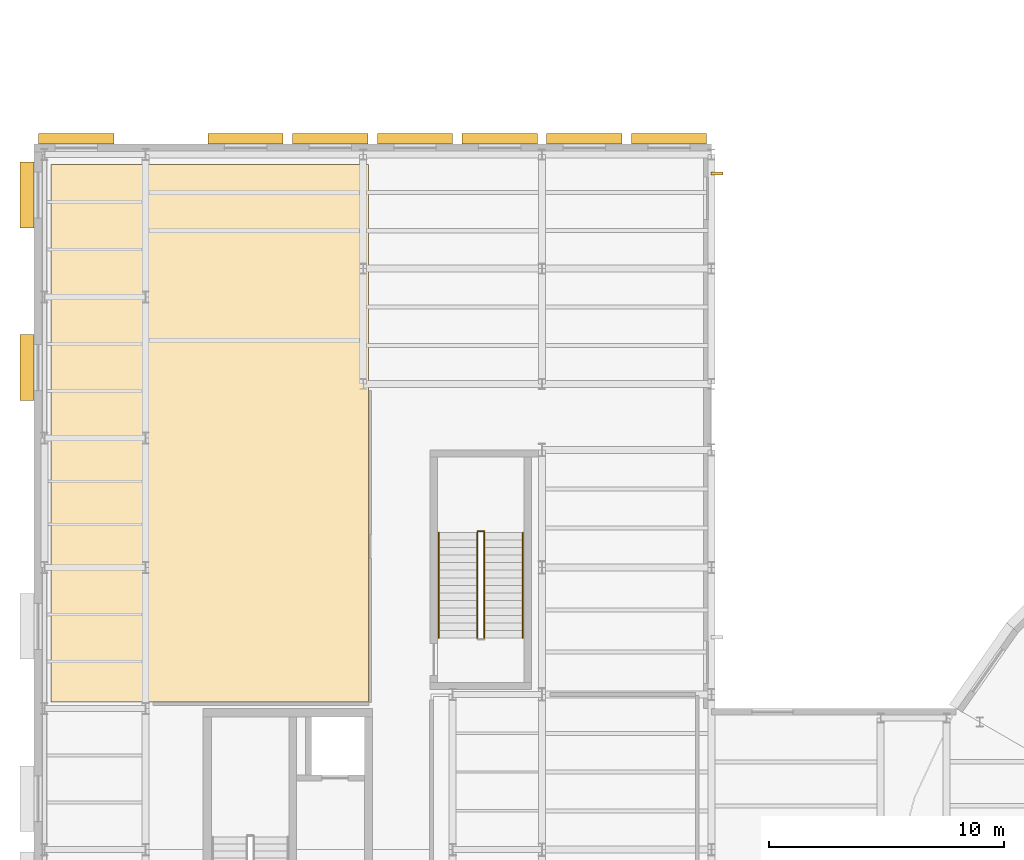
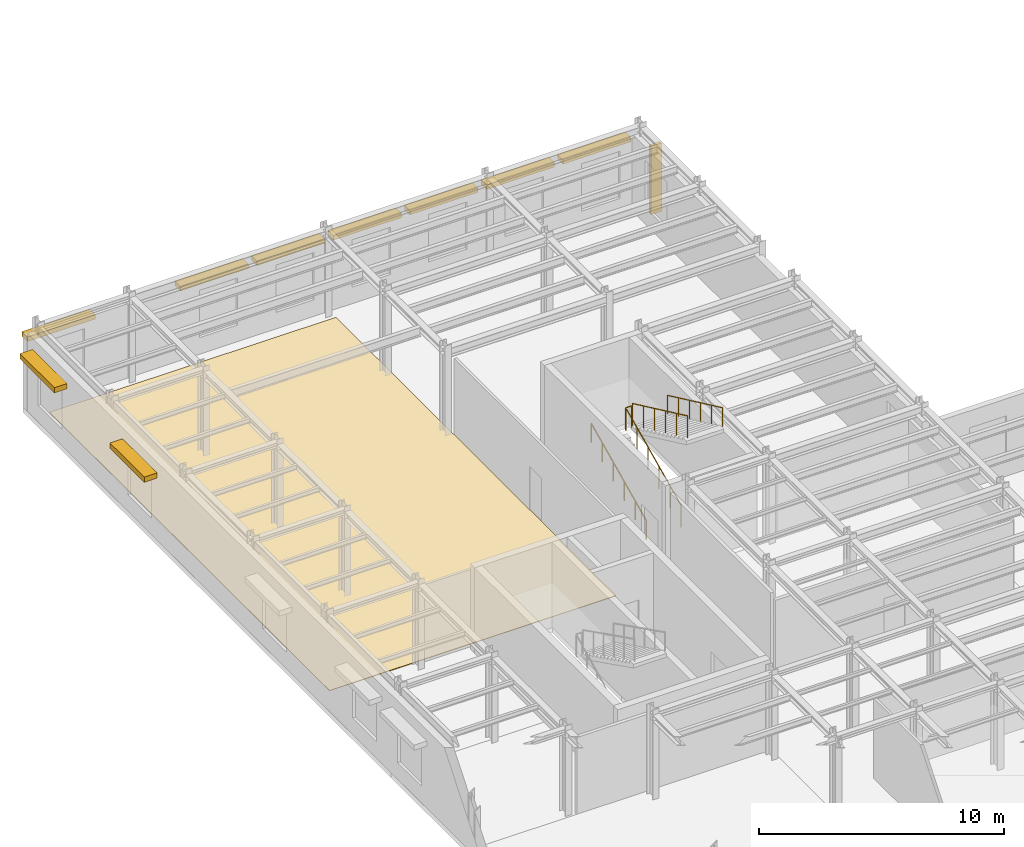
# One storey, part 85 of 91: 10 shading devices, 5 railings, 1 covering, 1 element without a shape of its own.
"""IFC4 building model written with IfcOpenShell, lengths in metres."""

from ifc_helpers import new_model, si_unit, direction, frame, origin, origin_2d, place, context, subcontext, project, spatial, polyline, rectangle, circle, outline, extrude, material, layer, layer_set, type_object, element, aggregate, save


model = new_model("IFC4")

# Units and contexts
model_context = context("Model", 3, precision=1e-05, world=origin(), true_north=direction((0.0, 1.0)))
body_context = subcontext(model_context, "Body", "Model", "MODEL_VIEW")
ifc_project = project(units=[si_unit("LENGTHUNIT", "METRE"), si_unit("AREAUNIT", "SQUARE_METRE"), si_unit("VOLUMEUNIT", "CUBIC_METRE"), si_unit("PLANEANGLEUNIT", "RADIAN"), si_unit("MASSUNIT", "GRAM", prefix="KILO")], contexts=[model_context])

# Site, building, storey
site_placement = place(None, origin())
site = spatial("IfcSite", under=ifc_project, at=site_placement, CompositionType="ELEMENT")
building_placement = place(site_placement, origin())
building = spatial("IfcBuilding", under=site, at=building_placement, Name="Kolvaren Corner Interchange", CompositionType="ELEMENT")
storey_placement = place(building_placement, frame((0.0, 0.0, 6.0)))
storey = spatial("IfcBuildingStorey", under=building, at=storey_placement, Name="L02", CompositionType="ELEMENT", Elevation=6.0)

# Covering
ifc_material_1 = material(Name="Polished Niger Delta Granite Terrazzo Flooring", Category="masonry")
ifc_layer = layer(ifc_material_1, 0.030029296875)
ifc_layer_set = layer_set([ifc_layer], Name="Polished Niger Delta Granite Terrazzo Flooring")
covering_type = type_object("IfcCoveringType", Name="COV-FLR-TER30", PredefinedType="FLOORING", material=ifc_layer_set)
covering_placement = place(storey_placement, origin())
element("IfcCovering", 1, at=covering_placement, inside=storey, type_object=covering_type, Name="L02 Driver Lockers and Changing Floor Finish", PredefinedType="FLOORING", context=body_context, shape_type="SweptSolid", body=[
    extrude(outline(polyline([(0.72998046875, 60.280029296875), (14.219970703125, 60.280029296875), (14.219970703125, 83.1201171875), (0.72998046875, 83.1201171875), (0.72998046875, 60.280029296875)])), origin(), (0.0, 0.0, 1.0), 0.030029296875),
])

# Stair, railings
ifc_material_2 = material(Name="Concrete C35/45", Category="concrete")
stair_type = type_object("IfcStairType", Name="ST-OP-1750", PredefinedType="HALF_TURN_STAIR", material=ifc_material_2)
stair_placement = place(storey_placement, origin())
stair = element("IfcStair", 2, at=stair_placement, inside=storey, type_object=stair_type, Name="Operations North Wing Protected Exit Stair L02 to L03 Stair", PredefinedType="HALF_TURN_STAIR")
ifc_material_3 = material(Name="Powder-Coated Steel Stairwell Guardrail", Category="steel")
railing_type_1 = type_object("IfcRailingType", Name="RLT-STAIR-GRD1120", PredefinedType="GUARDRAIL", material=ifc_material_3)
railing_1_placement = place(storey_placement, frame((18.85009765625, 63.0, 0.14990234375)))
railing_1 = element("IfcRailing", 3, at=railing_1_placement, type_object=railing_type_1, Name="Operations North Wing Protected Exit Stair L02 Lower Flight Well Guardrail", PredefinedType="GUARDRAIL", context=body_context, shape_type="SweptSolid", body=[
    extrude(circle(Radius=0.02392578125, at=origin_2d()), frame((0.0, 0.0, 1.09619140625), z_axis=(0.0, 0.905450639465, 0.424451574969), x_axis=(-1.0, 0.0, 0.0)), (0.0, 0.0, 1.0), 4.94775390625),
    extrude(circle(Radius=0.02001953125, at=origin_2d()), origin(), (0.0, 0.0, 1.0), 1.072021484375),
    extrude(circle(Radius=0.02001953125, at=origin_2d()), frame((0.0, 0.89599609375, 0.419921875)), (0.0, 0.0, 1.0), 1.072021484375),
    extrude(circle(Radius=0.02001953125, at=origin_2d()), frame((0.0, 1.7919921875, 0.840087890625)), (0.0, 0.0, 1.0), 1.072021484375),
    extrude(circle(Radius=0.02001953125, at=origin_2d()), frame((0.0, 2.68798828125, 1.260009765625)), (0.0, 0.0, 1.0), 1.072021484375),
    extrude(circle(Radius=0.02001953125, at=origin_2d()), frame((0.0, 3.583984375, 1.68017578125)), (0.0, 0.0, 1.0), 1.072021484375),
    extrude(circle(Radius=0.02001953125, at=origin_2d()), frame((0.0, 4.47998046875, 2.10009765625)), (0.0, 0.0, 1.0), 1.072021484375),
])
railing_2_placement = place(storey_placement, frame((18.860107421875, 67.5400390625, 2.25)))
railing_2 = element("IfcRailing", 4, at=railing_2_placement, type_object=railing_type_1, Name="Operations North Wing Protected Exit Stair L02 Half Landing Well Guardrail", PredefinedType="GUARDRAIL", context=body_context, shape_type="SweptSolid", body=[
    extrude(circle(Radius=0.02392578125, at=origin_2d()), frame((0.0, 0.0, 1.09619140625), z_axis=(1.0, 0.0, 0.0), x_axis=(0.0, 1.0, 0.0)), (0.0, 0.0, 1.0), 0.27978515625),
    extrude(circle(Radius=0.02001953125, at=origin_2d()), origin(), (0.0, 0.0, 1.0), 1.072021484375),
    extrude(circle(Radius=0.02001953125, at=origin_2d()), frame((0.27978515625, 0.0, 0.0)), (0.0, 0.0, 1.0), 1.072021484375),
])
railing_3_placement = place(storey_placement, frame((19.14990234375, 67.47998046875, 2.39990234375)))
railing_3 = element("IfcRailing", 5, at=railing_3_placement, type_object=railing_type_1, Name="Operations North Wing Protected Exit Stair L02 Upper Flight Well Guardrail", PredefinedType="GUARDRAIL", context=body_context, shape_type="SweptSolid", body=[
    extrude(circle(Radius=0.02392578125, at=origin_2d()), frame((0.0, 0.0, 1.09619140625), z_axis=(0.0, -0.905450639465, 0.424451574969), x_axis=(1.0, 0.0, 0.0)), (0.0, 0.0, 1.0), 4.94775390625),
    extrude(circle(Radius=0.02001953125, at=origin_2d()), origin(), (0.0, 0.0, 1.0), 1.072021484375),
    extrude(circle(Radius=0.02001953125, at=origin_2d()), frame((0.0, -0.89599609375, 0.419921875)), (0.0, 0.0, 1.0), 1.072021484375),
    extrude(circle(Radius=0.02001953125, at=origin_2d()), frame((0.0, -1.7919921875, 0.840087890625)), (0.0, 0.0, 1.0), 1.072021484375),
    extrude(circle(Radius=0.02001953125, at=origin_2d()), frame((0.0, -2.68798828125, 1.260009765625)), (0.0, 0.0, 1.0), 1.072021484375),
    extrude(circle(Radius=0.02001953125, at=origin_2d()), frame((0.0, -3.583984375, 1.68017578125)), (0.0, 0.0, 1.0), 1.072021484375),
    extrude(circle(Radius=0.02001953125, at=origin_2d()), frame((0.0, -4.47998046875, 2.10009765625)), (0.0, 0.0, 1.0), 1.072021484375),
])
ifc_material_4 = material(Name="Brushed Stainless Steel Stair Handrail", Category="steel")
railing_type_2 = type_object("IfcRailingType", Name="RLT-STAIR-HR950", PredefinedType="HANDRAIL", material=ifc_material_4)
railing_4_placement = place(storey_placement, frame((17.2099609375, 63.0, 0.14990234375)))
railing_4 = element("IfcRailing", 6, at=railing_4_placement, type_object=railing_type_2, Name="Operations North Wing Protected Exit Stair L02 Lower Flight Wall Handrail", PredefinedType="HANDRAIL", context=body_context, shape_type="SweptSolid", body=[
    extrude(circle(Radius=0.02197265625, at=origin_2d()), frame((0.0, 0.0, 0.927978515625), z_axis=(0.0, 0.905450639465, 0.424451574969), x_axis=(-1.0, 0.0, 0.0)), (0.0, 0.0, 1.0), 4.94775390625),
    extrude(circle(Radius=0.01806640625, at=origin_2d()), origin(), (0.0, 0.0, 1.0), 0.906005859375),
    extrude(circle(Radius=0.01806640625, at=origin_2d()), frame((0.0, 0.89599609375, 0.419921875)), (0.0, 0.0, 1.0), 0.906005859375),
    extrude(circle(Radius=0.01806640625, at=origin_2d()), frame((0.0, 1.7919921875, 0.840087890625)), (0.0, 0.0, 1.0), 0.906005859375),
    extrude(circle(Radius=0.01806640625, at=origin_2d()), frame((0.0, 2.68798828125, 1.260009765625)), (0.0, 0.0, 1.0), 0.906005859375),
    extrude(circle(Radius=0.01806640625, at=origin_2d()), frame((0.0, 3.583984375, 1.68017578125)), (0.0, 0.0, 1.0), 0.906005859375),
    extrude(circle(Radius=0.01806640625, at=origin_2d()), frame((0.0, 4.47998046875, 2.10009765625)), (0.0, 0.0, 1.0), 0.906005859375),
])
railing_5_placement = place(storey_placement, frame((20.7900390625, 67.47998046875, 2.39990234375)))
railing_5 = element("IfcRailing", 7, at=railing_5_placement, type_object=railing_type_2, Name="Operations North Wing Protected Exit Stair L02 Upper Flight Wall Handrail", PredefinedType="HANDRAIL", context=body_context, shape_type="SweptSolid", body=[
    extrude(circle(Radius=0.02197265625, at=origin_2d()), frame((0.0, 0.0, 0.927978515625), z_axis=(0.0, -0.905450639465, 0.424451574969), x_axis=(1.0, 0.0, 0.0)), (0.0, 0.0, 1.0), 4.94775390625),
    extrude(circle(Radius=0.01806640625, at=origin_2d()), origin(), (0.0, 0.0, 1.0), 0.906005859375),
    extrude(circle(Radius=0.01806640625, at=origin_2d()), frame((0.0, -0.89599609375, 0.419921875)), (0.0, 0.0, 1.0), 0.906005859375),
    extrude(circle(Radius=0.01806640625, at=origin_2d()), frame((0.0, -1.7919921875, 0.840087890625)), (0.0, 0.0, 1.0), 0.906005859375),
    extrude(circle(Radius=0.01806640625, at=origin_2d()), frame((0.0, -2.68798828125, 1.260009765625)), (0.0, 0.0, 1.0), 0.906005859375),
    extrude(circle(Radius=0.01806640625, at=origin_2d()), frame((0.0, -3.583984375, 1.68017578125)), (0.0, 0.0, 1.0), 0.906005859375),
    extrude(circle(Radius=0.01806640625, at=origin_2d()), frame((0.0, -4.47998046875, 2.10009765625)), (0.0, 0.0, 1.0), 0.906005859375),
])
aggregate(stair, [railing_1, railing_2, railing_3, railing_4, railing_5])

# Shading devices
ifc_material_5 = material(Name="Glazed Ochre Ceramic Baguette Solar Louvre")
shading_device_type_1 = type_object("IfcShadingDeviceType", Name="SHD-BAG-H450", PredefinedType="JALOUSIE", material=ifc_material_5)
for number, where, z_axis, x_axis, name in (
    (8, (27.0, 84.215087890625, 3.2001953125), (0.0, 0.0, 1.0), (-1.0, 0.0, 0.0), "L02 Ceramic Solar Shading 0039"),
    (9, (23.39990234375, 84.215087890625, 3.2001953125), (0.0, 0.0, 1.0), (-1.0, 0.0, 0.0), "L02 Ceramic Solar Shading 0040"),
    (10, (19.800048828125, 84.215087890625, 3.2001953125), (0.0, 0.0, 1.0), (-1.0, 0.0, 0.0), "L02 Ceramic Solar Shading 0041"),
    (11, (16.199951171875, 84.215087890625, 3.2001953125), (0.0, 0.0, 1.0), (-1.0, 0.0, 0.0), "L02 Ceramic Solar Shading 0042"),
    (12, (12.60009765625, 84.215087890625, 3.2001953125), (0.0, 0.0, 1.0), (-1.0, 0.0, 0.0), "L02 Ceramic Solar Shading 0043"),
    (13, (9.0, 84.215087890625, 3.2001953125), (0.0, 0.0, 1.0), (-1.0, 0.0, 0.0), "L02 Ceramic Solar Shading 0044"),
    (14, (1.800048828125, 84.215087890625, 3.2001953125), (0.0, 0.0, 1.0), (-1.0, 0.0, 0.0), "L02 Ceramic Solar Shading 0045"),
):
    element("IfcShadingDevice", number, at=place(storey_placement, frame(where, z_axis=z_axis, x_axis=x_axis)), inside=storey, type_object=shading_device_type_1, Name=name, PredefinedType="JALOUSIE", context=body_context, shape_type="SweptSolid", body=[
        extrude(rectangle(XDim=3.199951171875, YDim=0.449951171875, at=origin_2d()), origin(), (0.0, 0.0, 1.0), 0.219970703125),
    ])
ifc_material_6 = material(Name="Cream Ceramic Baguette Brise-Soleil")
shading_device_type_2 = type_object("IfcShadingDeviceType", Name="SHD-BAG-H600", PredefinedType="JALOUSIE", material=ifc_material_6)
for number, where, z_axis, x_axis, name in (
    (15, (-0.2900390625, 81.826904296875, 3.080078125), (0.0, 0.0, 1.0), (0.0, -1.0, 0.0), "L02 Ceramic Solar Shading 0046"),
    (16, (-0.2900390625, 74.49462890625, 3.080078125), (0.0, 0.0, 1.0), (0.0, -1.0, 0.0), "L02 Ceramic Solar Shading 0047"),
):
    element("IfcShadingDevice", number, at=place(storey_placement, frame(where, z_axis=z_axis, x_axis=x_axis)), inside=storey, type_object=shading_device_type_2, Name=name, PredefinedType="JALOUSIE", context=body_context, shape_type="SweptSolid", body=[
        extrude(rectangle(XDim=2.800048828125, YDim=0.60009765625, at=origin_2d()), origin(), (0.0, 0.0, 1.0), 0.260009765625),
    ])
ifc_material_7 = material(Name="Vertical Terracotta Solar Fin", Category="masonry")
shading_device_type_3 = type_object("IfcShadingDeviceType", Name="SHD-FIN-V500", PredefinedType="USERDEFINED", material=ifc_material_7)
shading_device_placement = place(storey_placement, frame((29.0400390625, 82.748291015625, 0.295166015625), z_axis=(0.0, 0.0, 1.0), x_axis=(0.0, 1.0, 0.0)))
element("IfcShadingDevice", 17, at=shading_device_placement, inside=storey, type_object=shading_device_type_3, Name="L02 Ceramic Solar Shading 0038", ObjectType="SUNSHADE", PredefinedType="USERDEFINED", context=body_context, shape_type="SweptSolid", body=[
    extrude(rectangle(XDim=0.139892578125, YDim=0.5, at=origin_2d()), origin(), (0.0, 0.0, 1.0), 3.39990234375),
])

save(model, "model.ifc")
